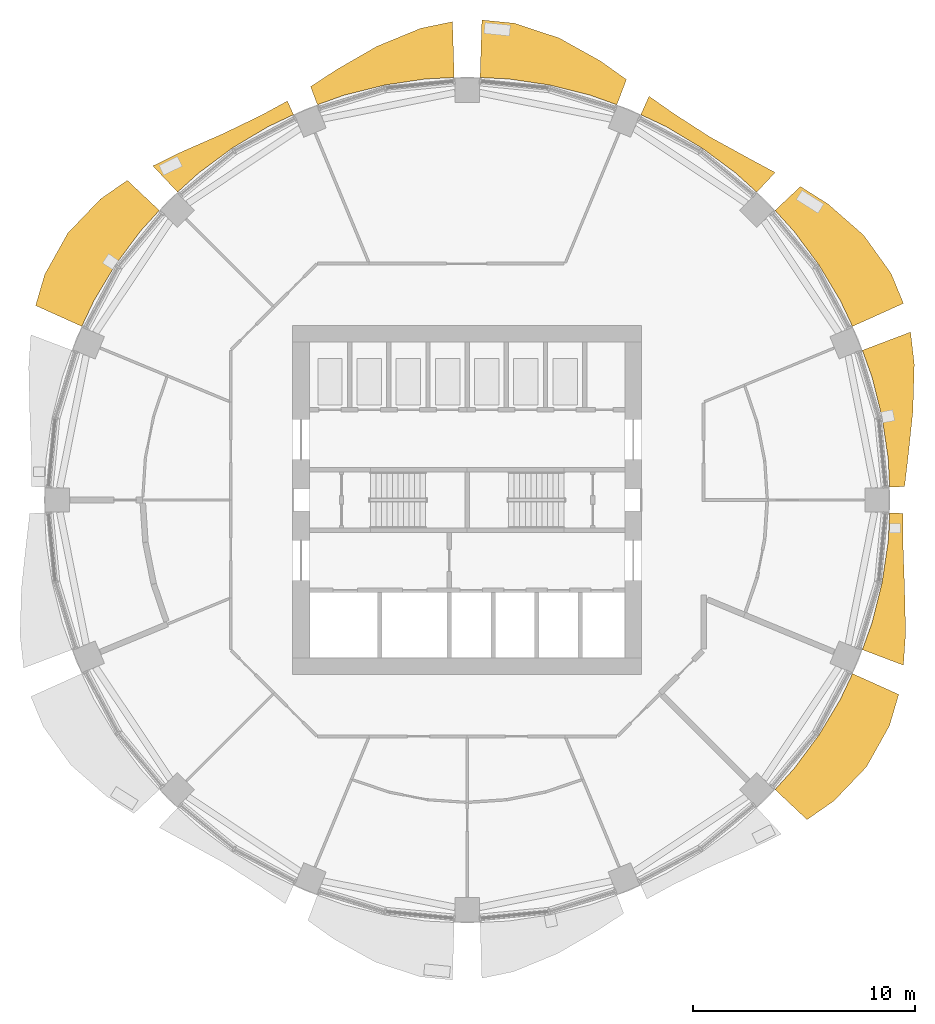
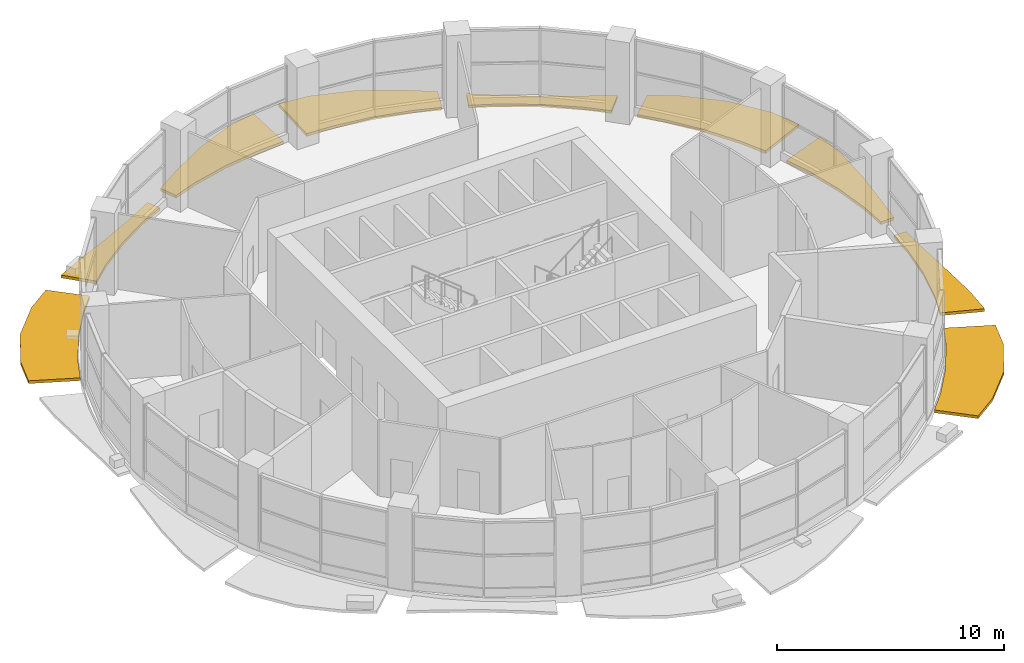
# One storey, part 12 of 13: 9 shading devices.
"""IFC4 building model written with IfcOpenShell, lengths in metres."""

from ifc_helpers import new_model, si_unit, direction, frame, origin, place, context, subcontext, project, spatial, polyline, outline, extrude, material, type_object, element, save


model = new_model("IFC4")

# Units and contexts
model_context = context("Model", 3, precision=1e-05, world=origin(), true_north=direction((0.0, 1.0)))
body_context = subcontext(model_context, "Body", "Model", "MODEL_VIEW")
ifc_project = project(units=[si_unit("LENGTHUNIT", "METRE"), si_unit("AREAUNIT", "SQUARE_METRE"), si_unit("VOLUMEUNIT", "CUBIC_METRE"), si_unit("PLANEANGLEUNIT", "RADIAN"), si_unit("MASSUNIT", "GRAM", prefix="KILO")], contexts=[model_context])

# Site, building, storey
site_placement = place(None, origin())
site = spatial("IfcSite", under=ifc_project, at=site_placement, CompositionType="ELEMENT")
building_placement = place(site_placement, origin())
building = spatial("IfcBuilding", under=site, at=building_placement, Name="Polderwave Tower", CompositionType="ELEMENT")
storey_placement = place(building_placement, frame((0.0, 0.0, 116.550048828125)))
storey = spatial("IfcBuildingStorey", under=building, at=storey_placement, Name="L30", CompositionType="ELEMENT", Elevation=116.550048828125)

# Shading devices
ifc_material = material(Name="Terracotta", Category="masonry")
shading_device_type = type_object("IfcShadingDeviceType", Name="Terracotta sunshade band", PredefinedType="USERDEFINED", material=ifc_material)
shading_device_1_placement = place(storey_placement, frame((0.0, 0.0, -0.35009765625)))
element("IfcShadingDevice", 1, at=shading_device_1_placement, inside=storey, type_object=shading_device_type, Name="Sunshade band L30 1", ObjectType="SUNSHADE", PredefinedType="USERDEFINED", context=body_context, shape_type="SweptSolid", body=[
    extrude(outline(polyline([(19.0712890625, 0.58447265625), (19.008056640625, 1.8720703125), (18.73291015625, 3.726318359375), (18.277587890625, 5.54443359375), (17.84326171875, 6.75830078125), (20.017822265625, 7.58203125), (20.18701171875, 6.12353515625), (20.1240234375, 4.0029296875), (19.90625, 1.960693359375), (19.74755859375, 0.60498046875), (19.0712890625, 0.58447265625)])), origin(), (0.0, 0.0, 1.0), 0.150146484375),
])
shading_device_2_placement = place(storey_placement, frame((0.0, 0.0, -0.35009765625)))
element("IfcShadingDevice", 2, at=shading_device_2_placement, inside=storey, type_object=shading_device_type, Name="Sunshade band L30 2", ObjectType="SUNSHADE", PredefinedType="USERDEFINED", context=body_context, shape_type="SweptSolid", body=[
    extrude(outline(polyline([(17.39599609375, 7.838134765625), (16.8447265625, 9.003662109375), (15.881103515625, 10.611328125), (14.764404296875, 12.116943359375), (13.898681640625, 13.072265625), (15.045166015625, 14.150390625), (16.287353515625, 13.36669921875), (17.896484375, 11.9580078125), (19.1376953125, 10.229248046875), (19.697509765625, 8.875), (17.39599609375, 7.838134765625)])), origin(), (0.0, 0.0, 1.0), 0.150146484375),
])
shading_device_3_placement = place(storey_placement, frame((0.0, 0.0, -0.35009765625)))
element("IfcShadingDevice", 3, at=shading_device_3_placement, inside=storey, type_object=shading_device_type, Name="Sunshade band L30 3", ObjectType="SUNSHADE", PredefinedType="USERDEFINED", context=body_context, shape_type="SweptSolid", body=[
    extrude(outline(polyline([(13.072265625, 13.898681640625), (12.116943359375, 14.764404296875), (10.611328125, 15.881103515625), (9.003662109375, 16.8447265625), (7.838134765625, 17.39599609375), (8.212646484375, 18.22705078125), (9.324951171875, 17.445556640625), (10.9541015625, 16.393798828125), (12.67724609375, 15.447265625), (13.905517578125, 14.78466796875), (13.072265625, 13.898681640625)])), origin(), (0.0, 0.0, 1.0), 0.150146484375),
])
shading_device_4_placement = place(storey_placement, frame((0.0, 0.0, -0.35009765625)))
element("IfcShadingDevice", 4, at=shading_device_4_placement, inside=storey, type_object=shading_device_type, Name="Sunshade band L30 4", ObjectType="SUNSHADE", PredefinedType="USERDEFINED", context=body_context, shape_type="SweptSolid", body=[
    extrude(outline(polyline([(6.75830078125, 17.84326171875), (5.54443359375, 18.277587890625), (3.726318359375, 18.73291015625), (1.8720703125, 19.008056640625), (0.58447265625, 19.0712890625), (0.6640625, 21.669677734375), (2.1201171875, 21.52490234375), (4.14892578125, 20.858154296875), (6.0126953125, 19.82177734375), (7.18994140625, 18.982421875), (6.75830078125, 17.84326171875)])), origin(), (0.0, 0.0, 1.0), 0.150146484375),
])
shading_device_5_placement = place(storey_placement, frame((0.0, 0.0, -0.35009765625)))
element("IfcShadingDevice", 5, at=shading_device_5_placement, inside=storey, type_object=shading_device_type, Name="Sunshade band L30 5", ObjectType="SUNSHADE", PredefinedType="USERDEFINED", context=body_context, shape_type="SweptSolid", body=[
    extrude(outline(polyline([(-0.58447265625, 19.0712890625), (-1.8720703125, 19.008056640625), (-3.726318359375, 18.73291015625), (-5.54443359375, 18.277587890625), (-6.75830078125, 17.84326171875), (-7.068115234375, 18.6611328125), (-5.894287109375, 19.430419921875), (-4.07373046875, 20.48046875), (-2.097412109375, 21.29443359375), (-0.66162109375, 21.593505859375), (-0.58447265625, 19.0712890625)])), origin(), (0.0, 0.0, 1.0), 0.150146484375),
])
shading_device_6_placement = place(storey_placement, frame((0.0, 0.0, -0.35009765625)))
element("IfcShadingDevice", 6, at=shading_device_6_placement, inside=storey, type_object=shading_device_type, Name="Sunshade band L30 6", ObjectType="SUNSHADE", PredefinedType="USERDEFINED", context=body_context, shape_type="SweptSolid", body=[
    extrude(outline(polyline([(-7.838134765625, 17.39599609375), (-9.003662109375, 16.8447265625), (-10.611328125, 15.881103515625), (-12.116943359375, 14.764404296875), (-13.072265625, 13.898681640625), (-14.186279296875, 15.083251953125), (-12.897216796875, 15.715087890625), (-11.04248046875, 16.5263671875), (-9.28662109375, 17.373779296875), (-8.11572265625, 18.011962890625), (-7.838134765625, 17.39599609375)])), origin(), (0.0, 0.0, 1.0), 0.150146484375),
])
shading_device_7_placement = place(storey_placement, frame((0.0, 0.0, -0.35009765625)))
element("IfcShadingDevice", 7, at=shading_device_7_placement, inside=storey, type_object=shading_device_type, Name="Sunshade band L30 7", ObjectType="SUNSHADE", PredefinedType="USERDEFINED", context=body_context, shape_type="SweptSolid", body=[
    extrude(outline(polyline([(-13.898681640625, 13.072265625), (-14.764404296875, 12.116943359375), (-15.881103515625, 10.611328125), (-16.8447265625, 9.003662109375), (-17.39599609375, 7.838134765625), (-19.482421875, 8.7783203125), (-19.06591796875, 10.19091796875), (-18.029052734375, 12.046630859375), (-16.555419921875, 13.586669921875), (-15.343505859375, 14.431396484375), (-13.898681640625, 13.072265625)])), origin(), (0.0, 0.0, 1.0), 0.150146484375),
])
shading_device_8_placement = place(storey_placement, frame((0.0, 0.0, -0.35009765625)))
element("IfcShadingDevice", 8, at=shading_device_8_placement, inside=storey, type_object=shading_device_type, Name="Sunshade band L30 15", ObjectType="SUNSHADE", PredefinedType="USERDEFINED", context=body_context, shape_type="SweptSolid", body=[
    extrude(outline(polyline([(13.898681640625, -13.072265625), (14.764404296875, -12.116943359375), (15.881103515625, -10.611328125), (16.8447265625, -9.003662109375), (17.39599609375, -7.838134765625), (19.482421875, -8.7783203125), (19.06591796875, -10.19091796875), (18.029052734375, -12.046630859375), (16.555419921875, -13.586669921875), (15.343505859375, -14.431396484375), (13.898681640625, -13.072265625)])), origin(), (0.0, 0.0, 1.0), 0.150146484375),
])
shading_device_9_placement = place(storey_placement, frame((0.0, 0.0, -0.35009765625)))
element("IfcShadingDevice", 9, at=shading_device_9_placement, inside=storey, type_object=shading_device_type, Name="Sunshade band L30 16", ObjectType="SUNSHADE", PredefinedType="USERDEFINED", context=body_context, shape_type="SweptSolid", body=[
    extrude(outline(polyline([(17.84326171875, -6.75830078125), (18.277587890625, -5.54443359375), (18.73291015625, -3.726318359375), (19.008056640625, -1.8720703125), (19.0712890625, -0.58447265625), (19.67138671875, -0.602783203125), (19.67578125, -1.93798828125), (19.746337890625, -3.927734375), (19.795654296875, -6.0048828125), (19.6962890625, -7.460205078125), (17.84326171875, -6.75830078125)])), origin(), (0.0, 0.0, 1.0), 0.150146484375),
])

save(model, "model.ifc")
